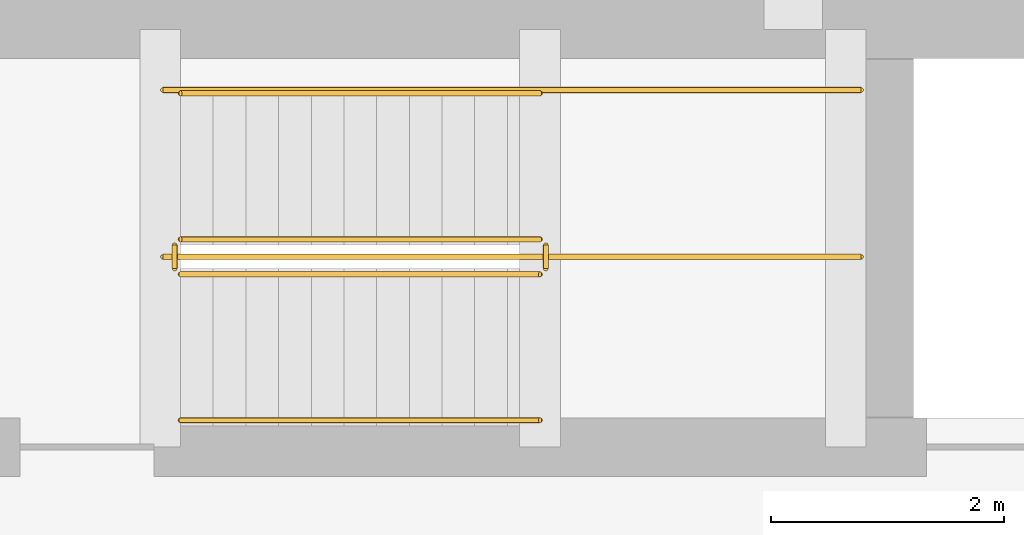
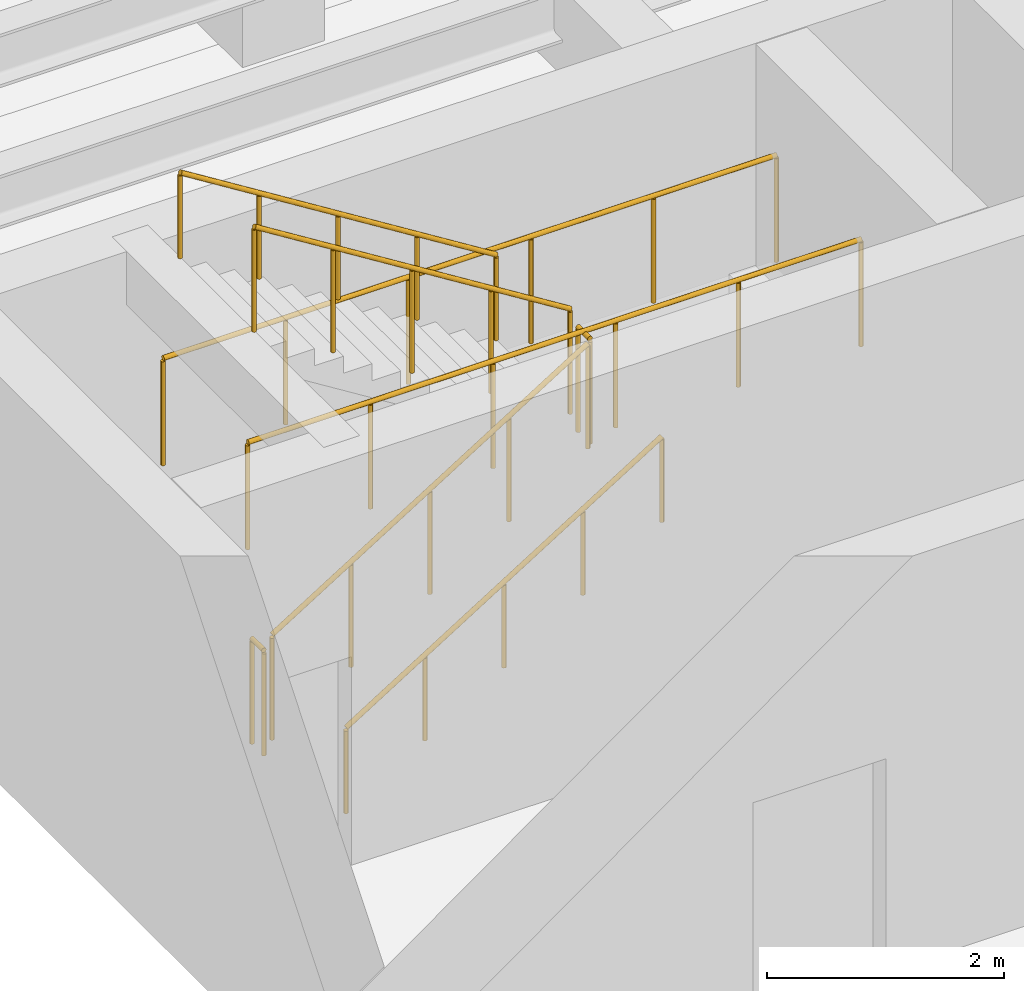
# One storey, part 28 of 33: 8 railings.
"""IFC4 building model written with IfcOpenShell, lengths in metres."""

import ifcopenshell
import ifcopenshell.guid

model = None  # the IFC model being written
_history = None  # IfcOwnerHistory: only IFC2X3 demands one
_inside = {}  # id of a spatial element -> (the spatial element, [elements in it])
_under = {}  # id of a project, library or spatial element -> (it, [spatial elements below it])
_declared = {}  # id of a project -> (the project, [libraries it declares])
_typed = {}  # id of a type object -> (the type object, [elements of that type])
_made_of = {}  # id of a material, layer set ... -> (it, [elements and type objects made of it])


def new_model(schema):
    """Start an empty IFC model of exactly this schema.

    Asked for "IFC4X3", IfcOpenShell would pick the latest addendum, in which some entities
    have other attributes; the version numbers below select the first issue.
    IFC2X3 requires an IfcOwnerHistory on every rooted entity: one is made here for all.
    """
    global model, _history
    if schema == "IFC4X3":
        model = ifcopenshell.file(schema_version=(4, 3, 0, 0))
    else:
        model = ifcopenshell.file(schema=schema)
    _inside.clear()
    _under.clear()
    _declared.clear()
    _typed.clear()
    _made_of.clear()
    _history = None
    if model.schema == "IFC2X3":
        org = make("IfcOrganization", Name="unknown")
        user = make(
            "IfcPersonAndOrganization",
            ThePerson=make("IfcPerson", FamilyName="unknown"),
            TheOrganization=org,
        )
        app = make(
            "IfcApplication",
            ApplicationDeveloper=org,
            Version="unknown",
            ApplicationFullName="unknown",
            ApplicationIdentifier="unknown",
        )
        _history = make(
            "IfcOwnerHistory",
            OwningUser=user,
            OwningApplication=app,
            ChangeAction="ADDED",
            CreationDate=0,
        )
    return model


def make(cls, **values):
    """One entity of the class cls with the attributes given. An attribute that is None is left unset."""
    return model.create_entity(
        cls, **{name: value for name, value in values.items() if value is not None}
    )


def rooted(cls, **values):
    """An entity with a GlobalId (a new one), such as an element, a storey or a relation."""
    return make(cls, GlobalId=ifcopenshell.guid.new(), OwnerHistory=_history, **values)


def si_unit(unit_type, name, prefix=None):
    """IfcSIUnit, for example si_unit("LENGTHUNIT", "METRE", prefix="MILLI")."""
    return make("IfcSIUnit", UnitType=unit_type, Prefix=prefix, Name=name)


def assignment(units):
    """IfcUnitAssignment: the units of a project."""
    return None if units is None else make("IfcUnitAssignment", Units=units)


def point(xyz):
    """IfcCartesianPoint."""
    return None if xyz is None else make("IfcCartesianPoint", Coordinates=xyz)


def direction(xyz):
    """IfcDirection."""
    return None if xyz is None else make("IfcDirection", DirectionRatios=xyz)


def frame(location, z_axis=None, x_axis=None):
    """IfcAxis2Placement3D, a coordinate frame: its origin and axes. An axis left out is left unset."""
    return make(
        "IfcAxis2Placement3D",
        Location=point(location),
        Axis=direction(z_axis),
        RefDirection=direction(x_axis),
    )


def frame_2d(location, x_axis=None):
    """IfcAxis2Placement2D, a coordinate frame in the plane: its origin and x axis."""
    return make(
        "IfcAxis2Placement2D", Location=point(location), RefDirection=direction(x_axis)
    )


def origin():
    """The frame at (0, 0, 0) with its axes left unset."""
    return frame((0.0, 0.0, 0.0))


def origin_2d():
    """The frame at (0, 0) in the plane with its x axis left unset."""
    return frame_2d((0.0, 0.0))


def place(relative_to, where):
    """IfcLocalPlacement: puts the frame where relative to a parent placement (None: the world)."""
    return make(
        "IfcLocalPlacement", PlacementRelTo=relative_to, RelativePlacement=where
    )


def context(
    kind, dimensions, precision=None, world=None, true_north=None, identifier=None
):
    """IfcGeometricRepresentationContext, for example the 3D "Model" context."""
    return make(
        "IfcGeometricRepresentationContext",
        ContextIdentifier=identifier,
        ContextType=kind,
        CoordinateSpaceDimension=dimensions,
        Precision=precision,
        WorldCoordinateSystem=world,
        TrueNorth=true_north,
    )


def subcontext(parent, identifier, kind, view, scale=None):
    """IfcGeometricRepresentationSubContext, for example "Body" below "Model"."""
    return make(
        "IfcGeometricRepresentationSubContext",
        ContextIdentifier=identifier,
        ContextType=kind,
        ParentContext=parent,
        TargetScale=scale,
        TargetView=view,
    )


def project(units=None, contexts=None):
    """IfcProject with its units and contexts."""
    return rooted(
        "IfcProject",
        Name="project",
        RepresentationContexts=contexts,
        UnitsInContext=assignment(units),
    )


def spatial(cls, under=None, at=None, **own):
    """A site, building, storey or space (cls), placed at a placement, below another one or the project."""
    s = rooted(cls, ObjectPlacement=at, **own)
    if under is not None:
        _under.setdefault(under.id(), (under, []))[1].append(s)
    return s


def profile(cls, at=None, kind="AREA", **sizes):
    """A parametric profile (cls). Its sizes go by their IFC names, for example OverallWidth=200.0."""
    return make(cls, ProfileType=kind, Position=at, **sizes)


def circle(**sizes):
    """IfcCircleProfileDef."""
    return profile("IfcCircleProfileDef", **sizes)


def extrude(swept, where, along, depth):
    """IfcExtrudedAreaSolid: the profile swept, set in the frame where, extruded along a direction by depth."""
    return make(
        "IfcExtrudedAreaSolid",
        SweptArea=swept,
        Position=where,
        ExtrudedDirection=direction(along),
        Depth=depth,
    )


def shape(context_of_items, identifier, shape_type, items):
    """IfcShapeRepresentation: the items that make up one representation, for example the "Body"."""
    return make(
        "IfcShapeRepresentation",
        ContextOfItems=context_of_items,
        RepresentationIdentifier=identifier,
        RepresentationType=shape_type,
        Items=items,
    )


def material(Name=None, Category=None):
    """IfcMaterial."""
    return make("IfcMaterial", Name=Name, Category=Category)


def made_of(thing, what):
    """Note that an element or type object is made of a material, layer set ...; save() writes the relation."""
    if what is not None:
        _made_of.setdefault(what.id(), (what, []))[1].append(thing)
    return thing


def type_object(cls, material=None, **own):
    """A type object (cls), such as IfcWallType, which elements share."""
    return made_of(rooted(cls, **own), material)


def element(
    cls,
    number,
    at=None,
    inside=None,
    cuts=None,
    type_object=None,
    material=None,
    context=None,
    identifier="Body",
    shape_type=None,
    held_by="IfcProductDefinitionShape",
    body=None,
    shapes=None,
    **own,
):
    """One element of the class cls, such as IfcWall. Its Tag is "e" and its number.

    at: its placement. inside: the storey or other place that contains it. cuts: it is an
    opening in that element (IfcRelVoidsElement). A single representation is given by context,
    identifier, shape_type and body (its items); several are given by shapes. held_by: the class
    of the entity that holds the representations. save() writes the other relations.
    """
    e = rooted(cls, Tag="e%d" % number, ObjectPlacement=at, **own)
    if body is not None:
        shapes = [shape(context, identifier, shape_type, body)]
    if shapes is not None:
        e.Representation = make(held_by, Representations=shapes)
    if inside is not None:
        _inside.setdefault(inside.id(), (inside, []))[1].append(e)
    if cuts is not None:
        rooted(
            "IfcRelVoidsElement", RelatingBuildingElement=cuts, RelatedOpeningElement=e
        )
    if type_object is not None:
        _typed.setdefault(type_object.id(), (type_object, []))[1].append(e)
    return made_of(e, material)


def aggregate(whole, parts):
    """IfcRelAggregates: a whole, such as a stair, and the parts it consists of."""
    return rooted("IfcRelAggregates", RelatingObject=whole, RelatedObjects=parts)


def save(model, path):
    """Write the relations noted so far, then the file.

    IfcRelAggregates (storeys below a building ...), IfcRelContainedInSpatialStructure (elements
    in a storey), IfcRelDefinesByType, IfcRelAssociatesMaterial and IfcRelDeclares: one each for
    every whole, place, type object, material and project.
    """
    for whole, parts in _under.values():
        aggregate(whole, parts)
    for where, things in _inside.values():
        rooted(
            "IfcRelContainedInSpatialStructure",
            RelatedElements=things,
            RelatingStructure=where,
        )
    for kind, things in _typed.values():
        rooted("IfcRelDefinesByType", RelatedObjects=things, RelatingType=kind)
    for what, things in _made_of.values():
        rooted("IfcRelAssociatesMaterial", RelatedObjects=things, RelatingMaterial=what)
    for by, libraries in _declared.values():
        rooted("IfcRelDeclares", RelatingContext=by, RelatedDefinitions=libraries)
    model.write(path)


model = new_model("IFC4")

# Units and contexts
model_context = context("Model", 3, precision=1e-05, world=origin(), true_north=direction((0.0, 1.0)))
body_context = subcontext(model_context, "Body", "Model", "MODEL_VIEW")
ifc_project = project(units=[si_unit("LENGTHUNIT", "METRE"), si_unit("AREAUNIT", "SQUARE_METRE"), si_unit("VOLUMEUNIT", "CUBIC_METRE"), si_unit("PLANEANGLEUNIT", "RADIAN"), si_unit("MASSUNIT", "GRAM", prefix="KILO")], contexts=[model_context])

# Site, building, storey
site_placement = place(None, origin())
site = spatial("IfcSite", under=ifc_project, at=site_placement, CompositionType="ELEMENT")
building_placement = place(site_placement, origin())
building = spatial("IfcBuilding", under=site, at=building_placement, Name="Mithqara Police Headquarters", CompositionType="ELEMENT")
storey_placement = place(building_placement, frame((0.0, 0.0, -4.199951171875)))
storey = spatial("IfcBuildingStorey", under=building, at=storey_placement, Name="B1", CompositionType="ELEMENT", Elevation=-4.199951171875)

# Railings
ifc_material = material(Name="Steel S355JR", Category="steel")
railing_type_1 = type_object("IfcRailingType", Name="HANDRAIL 920", PredefinedType="HANDRAIL", material=ifc_material)
railing_1_placement = place(storey_placement, frame((9.75, 68.050048828125, 0.175048828125)))
element("IfcRailing", 1, at=railing_1_placement, inside=storey, type_object=railing_type_1, Name="B1 ST-03 stair handrail 1", PredefinedType="HANDRAIL", context=body_context, shape_type="SweptSolid", body=[
    extrude(circle(Radius=0.02392578125, at=origin_2d()), frame((0.0, 0.0, 0.8759765625), z_axis=(0.848028513186, 0.0, 0.529950602248), x_axis=(0.0, 1.0, 0.0)), (0.0, 0.0, 1.0), 3.632080078125),
    extrude(circle(Radius=0.02099609375, at=origin_2d()), origin(), (0.0, 0.0, 1.0), 0.851806640625),
    extrude(circle(Radius=0.02099609375, at=origin_2d()), frame((0.77001953125, 0.0, 0.481201171875)), (0.0, 0.0, 1.0), 0.851806640625),
    extrude(circle(Radius=0.02099609375, at=origin_2d()), frame((1.5400390625, 0.0, 0.96240234375)), (0.0, 0.0, 1.0), 0.851806640625),
    extrude(circle(Radius=0.02099609375, at=origin_2d()), frame((2.31005859375, 0.0, 1.443603515625)), (0.0, 0.0, 1.0), 0.851806640625),
    extrude(circle(Radius=0.02099609375, at=origin_2d()), frame((3.080078125, 0.0, 1.9248046875)), (0.0, 0.0, 1.0), 0.851806640625),
])
railing_2_placement = place(storey_placement, frame((12.830078125, 70.85009765625, 2.27490234375)))
element("IfcRailing", 2, at=railing_2_placement, inside=storey, type_object=railing_type_1, Name="B1 ST-03 stair handrail 2", PredefinedType="HANDRAIL", context=body_context, shape_type="SweptSolid", body=[
    extrude(circle(Radius=0.02392578125, at=origin_2d()), frame((0.0, 0.0, 0.8759765625), z_axis=(-0.847998304005, 0.0, 0.529998940003), x_axis=(0.0, -1.0, 0.0)), (0.0, 0.0, 1.0), 3.632080078125),
    extrude(circle(Radius=0.02099609375, at=origin_2d()), origin(), (0.0, 0.0, 1.0), 0.851806640625),
    extrude(circle(Radius=0.02099609375, at=origin_2d()), frame((-0.77001953125, 0.0, 0.481201171875)), (0.0, 0.0, 1.0), 0.851806640625),
    extrude(circle(Radius=0.02099609375, at=origin_2d()), frame((-1.5400390625, 0.0, 0.96240234375)), (0.0, 0.0, 1.0), 0.851806640625),
    extrude(circle(Radius=0.02099609375, at=origin_2d()), frame((-2.31005859375, 0.0, 1.44384765625)), (0.0, 0.0, 1.0), 0.851806640625),
    extrude(circle(Radius=0.02099609375, at=origin_2d()), frame((-3.080078125, 0.0, 1.925048828125)), (0.0, 0.0, 1.0), 0.851806640625),
])
railing_type_2 = type_object("IfcRailingType", Name="STAIR GUARD 1120", PredefinedType="GUARDRAIL", material=ifc_material)
railing_3_placement = place(storey_placement, frame((9.75, 69.300048828125, 0.175048828125)))
element("IfcRailing", 3, at=railing_3_placement, inside=storey, type_object=railing_type_2, Name="B1 ST-03 stair guard 1", PredefinedType="GUARDRAIL", context=body_context, shape_type="SweptSolid", body=[
    extrude(circle(Radius=0.02392578125, at=origin_2d()), frame((0.0, 0.0, 1.076171875), z_axis=(0.848028513186, 0.0, 0.529950602248), x_axis=(0.0, 1.0, 0.0)), (0.0, 0.0, 1.0), 3.632080078125),
    extrude(circle(Radius=0.02099609375, at=origin_2d()), origin(), (0.0, 0.0, 1.0), 1.052001953125),
    extrude(circle(Radius=0.02099609375, at=origin_2d()), frame((0.77001953125, 0.0, 0.481201171875)), (0.0, 0.0, 1.0), 1.052001953125),
    extrude(circle(Radius=0.02099609375, at=origin_2d()), frame((1.5400390625, 0.0, 0.96240234375)), (0.0, 0.0, 1.0), 1.052001953125),
    extrude(circle(Radius=0.02099609375, at=origin_2d()), frame((2.31005859375, 0.0, 1.443603515625)), (0.0, 0.0, 1.0), 1.052001953125),
    extrude(circle(Radius=0.02099609375, at=origin_2d()), frame((3.080078125, 0.0, 1.9248046875)), (0.0, 0.0, 1.0), 1.052001953125),
])
railing_4_placement = place(storey_placement, frame((12.8798828125, 69.35009765625, 2.099853515625)))
element("IfcRailing", 4, at=railing_4_placement, inside=storey, type_object=railing_type_2, Name="B1 ST-03 stair guard 2", PredefinedType="GUARDRAIL", context=body_context, shape_type="SweptSolid", body=[
    extrude(circle(Radius=0.02392578125, at=origin_2d()), frame((0.0, 0.0, 1.076171875), z_axis=(0.0, 1.0, 0.0), x_axis=(-1.0, 0.0, 0.0)), (0.0, 0.0, 1.0), 0.199951171875),
    extrude(circle(Radius=0.02099609375, at=origin_2d()), origin(), (0.0, 0.0, 1.0), 1.052001953125),
    extrude(circle(Radius=0.02099609375, at=origin_2d()), frame((0.0, 0.199951171875, 0.0)), (0.0, 0.0, 1.0), 1.052001953125),
])
railing_5_placement = place(storey_placement, frame((12.830078125, 69.60009765625, 2.27490234375)))
element("IfcRailing", 5, at=railing_5_placement, inside=storey, type_object=railing_type_2, Name="B1 ST-03 stair guard 3", PredefinedType="GUARDRAIL", context=body_context, shape_type="SweptSolid", body=[
    extrude(circle(Radius=0.02392578125, at=origin_2d()), frame((0.0, 0.0, 1.076171875), z_axis=(-0.847998304005, 0.0, 0.529998940003), x_axis=(0.0, -1.0, 0.0)), (0.0, 0.0, 1.0), 3.632080078125),
    extrude(circle(Radius=0.02099609375, at=origin_2d()), origin(), (0.0, 0.0, 1.0), 1.052001953125),
    extrude(circle(Radius=0.02099609375, at=origin_2d()), frame((-0.77001953125, 0.0, 0.481201171875)), (0.0, 0.0, 1.0), 1.052001953125),
    extrude(circle(Radius=0.02099609375, at=origin_2d()), frame((-1.5400390625, 0.0, 0.96240234375)), (0.0, 0.0, 1.0), 1.052001953125),
    extrude(circle(Radius=0.02099609375, at=origin_2d()), frame((-2.31005859375, 0.0, 1.44384765625)), (0.0, 0.0, 1.0), 1.052001953125),
    extrude(circle(Radius=0.02099609375, at=origin_2d()), frame((-3.080078125, 0.0, 1.925048828125)), (0.0, 0.0, 1.0), 1.052001953125),
])
railing_6_placement = place(storey_placement, frame((9.699951171875, 69.35009765625, 0.0)))
element("IfcRailing", 6, at=railing_6_placement, inside=storey, type_object=railing_type_2, Name="B1 ST-03 stair guard 4", PredefinedType="GUARDRAIL", context=body_context, shape_type="SweptSolid", body=[
    extrude(circle(Radius=0.02392578125, at=origin_2d()), frame((0.0, 0.0, 1.076171875), z_axis=(0.0, 1.0, 0.0), x_axis=(-1.0, 0.0, 0.0)), (0.0, 0.0, 1.0), 0.199951171875),
    extrude(circle(Radius=0.02099609375, at=origin_2d()), origin(), (0.0, 0.0, 1.0), 1.052001953125),
    extrude(circle(Radius=0.02099609375, at=origin_2d()), frame((0.0, 0.199951171875, 0.0)), (0.0, 0.0, 1.0), 1.052001953125),
])
for number, where, name in (
    (7, (9.60009765625, 69.449951171875, 2.099853515625), "B1 ST-03 Half-Landing Guard IN"),
    (8, (9.60009765625, 70.8798828125, 2.099853515625), "B1 ST-03 Half-Landing Guard OUT"),
):
    element("IfcRailing", number, at=place(storey_placement, frame(where)), inside=storey, type_object=railing_type_2, Name=name, PredefinedType="GUARDRAIL", context=body_context, shape_type="SweptSolid", body=[
        extrude(circle(Radius=0.02392578125, at=origin_2d()), frame((0.0, 0.0, 1.09619140625), z_axis=(1.0, 0.0, 0.0), x_axis=(0.0, 1.0, 0.0)), (0.0, 0.0, 1.0), 5.97998046875),
        extrude(circle(Radius=0.02099609375, at=origin_2d()), origin(), (0.0, 0.0, 1.0), 1.072021484375),
        extrude(circle(Radius=0.02099609375, at=origin_2d()), frame((1.196044921875, 0.0, 0.0)), (0.0, 0.0, 1.0), 1.072021484375),
        extrude(circle(Radius=0.02099609375, at=origin_2d()), frame((2.39208984375, 0.0, 0.0)), (0.0, 0.0, 1.0), 1.072021484375),
        extrude(circle(Radius=0.02099609375, at=origin_2d()), frame((3.587890625, 0.0, 0.0)), (0.0, 0.0, 1.0), 1.072021484375),
        extrude(circle(Radius=0.02099609375, at=origin_2d()), frame((4.783935546875, 0.0, 0.0)), (0.0, 0.0, 1.0), 1.072021484375),
        extrude(circle(Radius=0.02099609375, at=origin_2d()), frame((5.97998046875, 0.0, 0.0)), (0.0, 0.0, 1.0), 1.072021484375),
    ])

save(model, "model.ifc")
